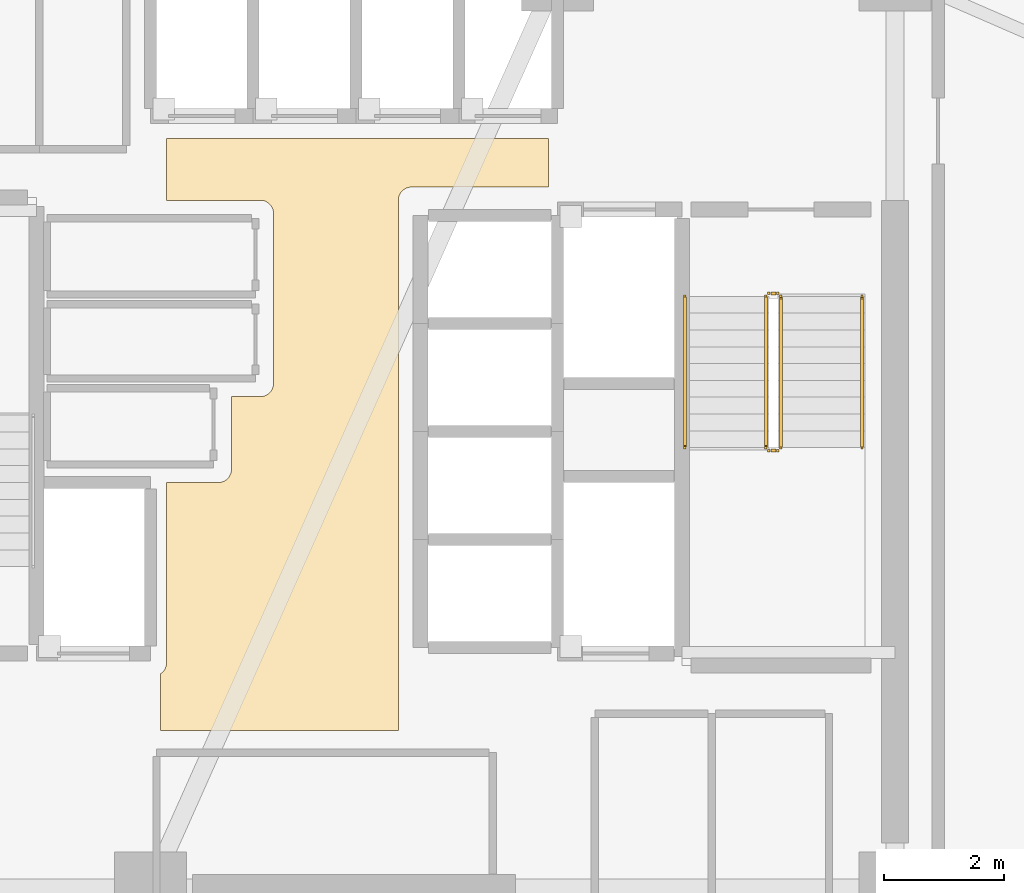
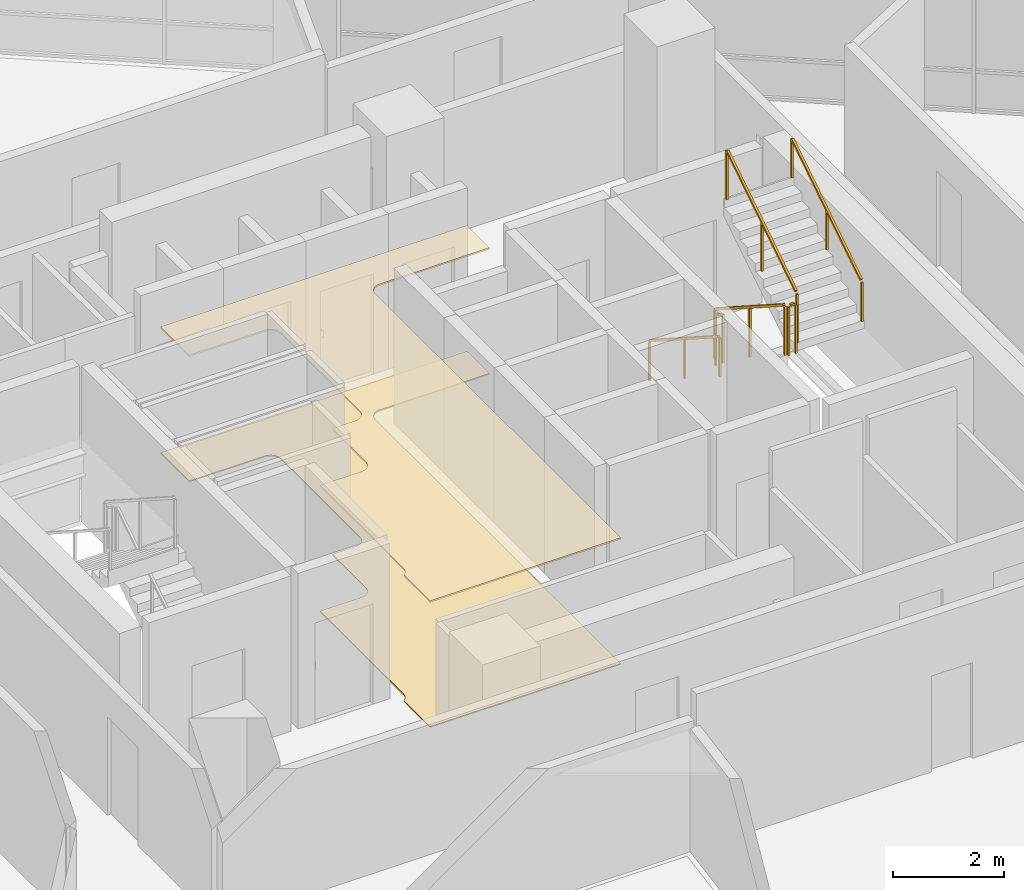
# One storey, part 18 of 19: 6 railings, 2 coverings.
"""IFC4 building model written with IfcOpenShell, lengths in metres."""

import ifcopenshell
import ifcopenshell.guid

model = None  # the IFC model being written
_history = None  # IfcOwnerHistory: only IFC2X3 demands one
_inside = {}  # id of a spatial element -> (the spatial element, [elements in it])
_under = {}  # id of a project, library or spatial element -> (it, [spatial elements below it])
_declared = {}  # id of a project -> (the project, [libraries it declares])
_typed = {}  # id of a type object -> (the type object, [elements of that type])
_made_of = {}  # id of a material, layer set ... -> (it, [elements and type objects made of it])


def new_model(schema):
    """Start an empty IFC model of exactly this schema.

    Asked for "IFC4X3", IfcOpenShell would pick the latest addendum, in which some entities
    have other attributes; the version numbers below select the first issue.
    IFC2X3 requires an IfcOwnerHistory on every rooted entity: one is made here for all.
    """
    global model, _history
    if schema == "IFC4X3":
        model = ifcopenshell.file(schema_version=(4, 3, 0, 0))
    else:
        model = ifcopenshell.file(schema=schema)
    _inside.clear()
    _under.clear()
    _declared.clear()
    _typed.clear()
    _made_of.clear()
    _history = None
    if model.schema == "IFC2X3":
        org = make("IfcOrganization", Name="unknown")
        user = make(
            "IfcPersonAndOrganization",
            ThePerson=make("IfcPerson", FamilyName="unknown"),
            TheOrganization=org,
        )
        app = make(
            "IfcApplication",
            ApplicationDeveloper=org,
            Version="unknown",
            ApplicationFullName="unknown",
            ApplicationIdentifier="unknown",
        )
        _history = make(
            "IfcOwnerHistory",
            OwningUser=user,
            OwningApplication=app,
            ChangeAction="ADDED",
            CreationDate=0,
        )
    return model


def make(cls, **values):
    """One entity of the class cls with the attributes given. An attribute that is None is left unset."""
    return model.create_entity(
        cls, **{name: value for name, value in values.items() if value is not None}
    )


def rooted(cls, **values):
    """An entity with a GlobalId (a new one), such as an element, a storey or a relation."""
    return make(cls, GlobalId=ifcopenshell.guid.new(), OwnerHistory=_history, **values)


def si_unit(unit_type, name, prefix=None):
    """IfcSIUnit, for example si_unit("LENGTHUNIT", "METRE", prefix="MILLI")."""
    return make("IfcSIUnit", UnitType=unit_type, Prefix=prefix, Name=name)


def assignment(units):
    """IfcUnitAssignment: the units of a project."""
    return None if units is None else make("IfcUnitAssignment", Units=units)


def point(xyz):
    """IfcCartesianPoint."""
    return None if xyz is None else make("IfcCartesianPoint", Coordinates=xyz)


def direction(xyz):
    """IfcDirection."""
    return None if xyz is None else make("IfcDirection", DirectionRatios=xyz)


def frame(location, z_axis=None, x_axis=None):
    """IfcAxis2Placement3D, a coordinate frame: its origin and axes. An axis left out is left unset."""
    return make(
        "IfcAxis2Placement3D",
        Location=point(location),
        Axis=direction(z_axis),
        RefDirection=direction(x_axis),
    )


def frame_2d(location, x_axis=None):
    """IfcAxis2Placement2D, a coordinate frame in the plane: its origin and x axis."""
    return make(
        "IfcAxis2Placement2D", Location=point(location), RefDirection=direction(x_axis)
    )


def origin():
    """The frame at (0, 0, 0) with its axes left unset."""
    return frame((0.0, 0.0, 0.0))


def origin_2d():
    """The frame at (0, 0) in the plane with its x axis left unset."""
    return frame_2d((0.0, 0.0))


def place(relative_to, where):
    """IfcLocalPlacement: puts the frame where relative to a parent placement (None: the world)."""
    return make(
        "IfcLocalPlacement", PlacementRelTo=relative_to, RelativePlacement=where
    )


def context(
    kind, dimensions, precision=None, world=None, true_north=None, identifier=None
):
    """IfcGeometricRepresentationContext, for example the 3D "Model" context."""
    return make(
        "IfcGeometricRepresentationContext",
        ContextIdentifier=identifier,
        ContextType=kind,
        CoordinateSpaceDimension=dimensions,
        Precision=precision,
        WorldCoordinateSystem=world,
        TrueNorth=true_north,
    )


def subcontext(parent, identifier, kind, view, scale=None):
    """IfcGeometricRepresentationSubContext, for example "Body" below "Model"."""
    return make(
        "IfcGeometricRepresentationSubContext",
        ContextIdentifier=identifier,
        ContextType=kind,
        ParentContext=parent,
        TargetScale=scale,
        TargetView=view,
    )


def project(units=None, contexts=None):
    """IfcProject with its units and contexts."""
    return rooted(
        "IfcProject",
        Name="project",
        RepresentationContexts=contexts,
        UnitsInContext=assignment(units),
    )


def spatial(cls, under=None, at=None, **own):
    """A site, building, storey or space (cls), placed at a placement, below another one or the project."""
    s = rooted(cls, ObjectPlacement=at, **own)
    if under is not None:
        _under.setdefault(under.id(), (under, []))[1].append(s)
    return s


def polyline(points):
    """IfcPolyline through the points."""
    return make("IfcPolyline", Points=[point(p) for p in points])


def profile(cls, at=None, kind="AREA", **sizes):
    """A parametric profile (cls). Its sizes go by their IFC names, for example OverallWidth=200.0."""
    return make(cls, ProfileType=kind, Position=at, **sizes)


def rectangle(**sizes):
    """IfcRectangleProfileDef."""
    return profile("IfcRectangleProfileDef", **sizes)


def outline(outer, holes=None, kind="AREA"):
    """IfcArbitraryClosedProfileDef: a profile drawn as a closed curve; with holes, ...WithVoids."""
    if holes is None:
        return make("IfcArbitraryClosedProfileDef", ProfileType=kind, OuterCurve=outer)
    return make(
        "IfcArbitraryProfileDefWithVoids",
        ProfileType=kind,
        OuterCurve=outer,
        InnerCurves=holes,
    )


def extrude(swept, where, along, depth):
    """IfcExtrudedAreaSolid: the profile swept, set in the frame where, extruded along a direction by depth."""
    return make(
        "IfcExtrudedAreaSolid",
        SweptArea=swept,
        Position=where,
        ExtrudedDirection=direction(along),
        Depth=depth,
    )


def shape(context_of_items, identifier, shape_type, items):
    """IfcShapeRepresentation: the items that make up one representation, for example the "Body"."""
    return make(
        "IfcShapeRepresentation",
        ContextOfItems=context_of_items,
        RepresentationIdentifier=identifier,
        RepresentationType=shape_type,
        Items=items,
    )


def material(Name=None, Category=None):
    """IfcMaterial."""
    return make("IfcMaterial", Name=Name, Category=Category)


def layer(
    of_material, thickness, ventilated=None, Name=None, Category=None, Priority=None
):
    """IfcMaterialLayer: one layer of a wall or slab, of a material (None: an air gap)."""
    return make(
        "IfcMaterialLayer",
        Material=of_material,
        LayerThickness=thickness,
        IsVentilated=ventilated,
        Name=Name,
        Category=Category,
        Priority=Priority,
    )


def layer_set(layers, Name=None):
    """IfcMaterialLayerSet."""
    return make("IfcMaterialLayerSet", MaterialLayers=layers, LayerSetName=Name)


def made_of(thing, what):
    """Note that an element or type object is made of a material, layer set ...; save() writes the relation."""
    if what is not None:
        _made_of.setdefault(what.id(), (what, []))[1].append(thing)
    return thing


def type_object(cls, material=None, **own):
    """A type object (cls), such as IfcWallType, which elements share."""
    return made_of(rooted(cls, **own), material)


def element(
    cls,
    number,
    at=None,
    inside=None,
    cuts=None,
    type_object=None,
    material=None,
    context=None,
    identifier="Body",
    shape_type=None,
    held_by="IfcProductDefinitionShape",
    body=None,
    shapes=None,
    **own,
):
    """One element of the class cls, such as IfcWall. Its Tag is "e" and its number.

    at: its placement. inside: the storey or other place that contains it. cuts: it is an
    opening in that element (IfcRelVoidsElement). A single representation is given by context,
    identifier, shape_type and body (its items); several are given by shapes. held_by: the class
    of the entity that holds the representations. save() writes the other relations.
    """
    e = rooted(cls, Tag="e%d" % number, ObjectPlacement=at, **own)
    if body is not None:
        shapes = [shape(context, identifier, shape_type, body)]
    if shapes is not None:
        e.Representation = make(held_by, Representations=shapes)
    if inside is not None:
        _inside.setdefault(inside.id(), (inside, []))[1].append(e)
    if cuts is not None:
        rooted(
            "IfcRelVoidsElement", RelatingBuildingElement=cuts, RelatedOpeningElement=e
        )
    if type_object is not None:
        _typed.setdefault(type_object.id(), (type_object, []))[1].append(e)
    return made_of(e, material)


def aggregate(whole, parts):
    """IfcRelAggregates: a whole, such as a stair, and the parts it consists of."""
    return rooted("IfcRelAggregates", RelatingObject=whole, RelatedObjects=parts)


def save(model, path):
    """Write the relations noted so far, then the file.

    IfcRelAggregates (storeys below a building ...), IfcRelContainedInSpatialStructure (elements
    in a storey), IfcRelDefinesByType, IfcRelAssociatesMaterial and IfcRelDeclares: one each for
    every whole, place, type object, material and project.
    """
    for whole, parts in _under.values():
        aggregate(whole, parts)
    for where, things in _inside.values():
        rooted(
            "IfcRelContainedInSpatialStructure",
            RelatedElements=things,
            RelatingStructure=where,
        )
    for kind, things in _typed.values():
        rooted("IfcRelDefinesByType", RelatedObjects=things, RelatingType=kind)
    for what, things in _made_of.values():
        rooted("IfcRelAssociatesMaterial", RelatedObjects=things, RelatingMaterial=what)
    for by, libraries in _declared.values():
        rooted("IfcRelDeclares", RelatingContext=by, RelatedDefinitions=libraries)
    model.write(path)


model = new_model("IFC4")

# Units and contexts
model_context = context("Model", 3, precision=1e-05, world=origin(), true_north=direction((0.0, 1.0)))
body_context = subcontext(model_context, "Body", "Model", "MODEL_VIEW")
ifc_project = project(units=[si_unit("LENGTHUNIT", "METRE"), si_unit("AREAUNIT", "SQUARE_METRE"), si_unit("VOLUMEUNIT", "CUBIC_METRE"), si_unit("PLANEANGLEUNIT", "RADIAN"), si_unit("MASSUNIT", "GRAM", prefix="KILO")], contexts=[model_context])

# Site, building, storey
site_placement = place(None, origin())
site = spatial("IfcSite", under=ifc_project, at=site_placement, CompositionType="ELEMENT")
building_placement = place(site_placement, origin())
building = spatial("IfcBuilding", under=site, at=building_placement, Name="Tharavind Bronze Gate", CompositionType="ELEMENT")
storey_placement = place(building_placement, frame((0.0, 0.0, 116.050048828125)))
storey = spatial("IfcBuildingStorey", under=building, at=storey_placement, Name="L29", CompositionType="ELEMENT", Elevation=116.050048828125)

# Coverings
ifc_material_1 = material(Name="Perforated Bronze Acoustic Panel", Category="bronze")
ifc_layer_1 = layer(ifc_material_1, 0.044921875)
ifc_layer_set_1 = layer_set([ifc_layer_1], Name="Perforated Bronze Acoustic Panel")
covering_type_1 = type_object("IfcCoveringType", Name="ACOUSTIC BRONZE BAFFLE CEILING", PredefinedType="CEILING", material=ifc_layer_set_1)
covering_1_placement = place(storey_placement, frame((0.0, 0.0, 2.75)))
element("IfcCovering", 1, at=covering_1_placement, inside=storey, type_object=covering_type_1, Name="L29-C-LL suspended ceiling", PredefinedType="CEILING", context=body_context, shape_type="SweptSolid", body=[
    extrude(outline(polyline([(-3.330078125, -4.97998046875), (0.6298828125, -4.97998046875), (0.6298828125, 3.85009765625), (0.631103515625, 3.87158203125), (0.63427734375, 3.892822265625), (0.639404296875, 3.913818359375), (0.646728515625, 3.93408203125), (0.656005859375, 3.95361328125), (0.6669921875, 3.97216796875), (0.679931640625, 3.989501953125), (0.6943359375, 4.005615234375), (0.71044921875, 4.02001953125), (0.727783203125, 4.032958984375), (0.746337890625, 4.0439453125), (0.765869140625, 4.05322265625), (0.7861328125, 4.060546875), (0.80712890625, 4.06591796875), (0.828369140625, 4.06884765625), (0.85009765625, 4.070068359375), (3.1298828125, 4.070068359375), (3.1298828125, 4.8798828125), (-3.22998046875, 4.8798828125), (-3.22998046875, 3.85009765625), (-1.669921875, 3.85009765625), (-1.6484375, 3.848876953125), (-1.627197265625, 3.845703125), (-1.606201171875, 3.840576171875), (-1.585693359375, 3.833251953125), (-1.56640625, 3.823974609375), (-1.5478515625, 3.81298828125), (-1.530517578125, 3.800048828125), (-1.514404296875, 3.78564453125), (-1.5, 3.76953125), (-1.487060546875, 3.752197265625), (-1.47607421875, 3.733642578125), (-1.466796875, 3.714111328125), (-1.45947265625, 3.69384765625), (-1.4541015625, 3.6728515625), (-1.451171875, 3.651611328125), (-1.449951171875, 3.6298828125), (-1.449951171875, 0.800048828125), (-1.451171875, 0.7783203125), (-1.4541015625, 0.757080078125), (-1.45947265625, 0.736083984375), (-1.466796875, 0.7158203125), (-1.47607421875, 0.6962890625), (-1.487060546875, 0.677734375), (-1.5, 0.660400390625), (-1.514404296875, 0.644287109375), (-1.530517578125, 0.6298828125), (-1.5478515625, 0.6171875), (-1.56640625, 0.60595703125), (-1.585693359375, 0.5966796875), (-1.606201171875, 0.589599609375), (-1.627197265625, 0.584228515625), (-1.6484375, 0.5810546875), (-1.669921875, 0.580078125), (-2.14990234375, 0.580078125), (-2.14990234375, -0.6298828125), (-2.151123046875, -0.651611328125), (-2.154296875, -0.6728515625), (-2.159423828125, -0.69384765625), (-2.166748046875, -0.714111328125), (-2.176025390625, -0.733642578125), (-2.18701171875, -0.752197265625), (-2.199951171875, -0.76953125), (-2.21435546875, -0.78564453125), (-2.23046875, -0.800048828125), (-2.247802734375, -0.81298828125), (-2.266357421875, -0.823974609375), (-2.285888671875, -0.833251953125), (-2.30615234375, -0.840576171875), (-2.3271484375, -0.845703125), (-2.348388671875, -0.848876953125), (-2.3701171875, -0.85009765625), (-3.22998046875, -0.85009765625), (-3.22998046875, -3.85009765625), (-3.231201171875, -3.87158203125), (-3.234130859375, -3.892822265625), (-3.239501953125, -3.913818359375), (-3.24658203125, -3.93408203125), (-3.256103515625, -3.95361328125), (-3.26708984375, -3.97216796875), (-3.27978515625, -3.989501953125), (-3.29443359375, -4.005615234375), (-3.310302734375, -4.02001953125), (-3.327880859375, -4.032958984375), (-3.330078125, -4.0341796875), (-3.330078125, -4.97998046875)])), origin(), (0.0, 0.0, 1.0), 0.034912109375),
])
ifc_material_2 = material(Name="Honed Travertine Limestone", Category="masonry")
ifc_layer_2 = layer(ifc_material_2, 0.030029296875)
ifc_layer_set_2 = layer_set([ifc_layer_2], Name="Honed Travertine Limestone")
covering_type_2 = type_object("IfcCoveringType", Name="HONED LIMESTONE FLOORING", PredefinedType="FLOORING", material=ifc_layer_set_2)
covering_2_placement = place(storey_placement, origin())
element("IfcCovering", 2, at=covering_2_placement, inside=storey, type_object=covering_type_2, Name="L29-C-LL floor finish", PredefinedType="FLOORING", context=body_context, shape_type="SweptSolid", body=[
    extrude(outline(polyline([(-3.330078125, -4.97998046875), (0.6298828125, -4.97998046875), (0.6298828125, 3.85009765625), (0.631103515625, 3.87158203125), (0.63427734375, 3.892822265625), (0.639404296875, 3.913818359375), (0.646728515625, 3.93408203125), (0.656005859375, 3.95361328125), (0.6669921875, 3.97216796875), (0.679931640625, 3.989501953125), (0.6943359375, 4.005615234375), (0.71044921875, 4.02001953125), (0.727783203125, 4.032958984375), (0.746337890625, 4.0439453125), (0.765869140625, 4.05322265625), (0.7861328125, 4.060546875), (0.80712890625, 4.06591796875), (0.828369140625, 4.06884765625), (0.85009765625, 4.070068359375), (3.1298828125, 4.070068359375), (3.1298828125, 4.8798828125), (-3.22998046875, 4.8798828125), (-3.22998046875, 3.85009765625), (-1.669921875, 3.85009765625), (-1.6484375, 3.848876953125), (-1.627197265625, 3.845703125), (-1.606201171875, 3.840576171875), (-1.585693359375, 3.833251953125), (-1.56640625, 3.823974609375), (-1.5478515625, 3.81298828125), (-1.530517578125, 3.800048828125), (-1.514404296875, 3.78564453125), (-1.5, 3.76953125), (-1.487060546875, 3.752197265625), (-1.47607421875, 3.733642578125), (-1.466796875, 3.714111328125), (-1.45947265625, 3.69384765625), (-1.4541015625, 3.6728515625), (-1.451171875, 3.651611328125), (-1.449951171875, 3.6298828125), (-1.449951171875, 0.800048828125), (-1.451171875, 0.7783203125), (-1.4541015625, 0.757080078125), (-1.45947265625, 0.736083984375), (-1.466796875, 0.7158203125), (-1.47607421875, 0.6962890625), (-1.487060546875, 0.677734375), (-1.5, 0.660400390625), (-1.514404296875, 0.644287109375), (-1.530517578125, 0.6298828125), (-1.5478515625, 0.6171875), (-1.56640625, 0.60595703125), (-1.585693359375, 0.5966796875), (-1.606201171875, 0.589599609375), (-1.627197265625, 0.584228515625), (-1.6484375, 0.5810546875), (-1.669921875, 0.580078125), (-2.14990234375, 0.580078125), (-2.14990234375, -0.6298828125), (-2.151123046875, -0.651611328125), (-2.154296875, -0.6728515625), (-2.159423828125, -0.69384765625), (-2.166748046875, -0.714111328125), (-2.176025390625, -0.733642578125), (-2.18701171875, -0.752197265625), (-2.199951171875, -0.76953125), (-2.21435546875, -0.78564453125), (-2.23046875, -0.800048828125), (-2.247802734375, -0.81298828125), (-2.266357421875, -0.823974609375), (-2.285888671875, -0.833251953125), (-2.30615234375, -0.840576171875), (-2.3271484375, -0.845703125), (-2.348388671875, -0.848876953125), (-2.3701171875, -0.85009765625), (-3.22998046875, -0.85009765625), (-3.22998046875, -3.85009765625), (-3.231201171875, -3.87158203125), (-3.234130859375, -3.892822265625), (-3.239501953125, -3.913818359375), (-3.24658203125, -3.93408203125), (-3.256103515625, -3.95361328125), (-3.26708984375, -3.97216796875), (-3.27978515625, -3.989501953125), (-3.29443359375, -4.005615234375), (-3.310302734375, -4.02001953125), (-3.327880859375, -4.032958984375), (-3.330078125, -4.0341796875), (-3.330078125, -4.97998046875)])), origin(), (0.0, 0.0, 1.0), 0.02490234375),
])

# Railings
ifc_material_3 = material(Name="Brushed Bronze Alloy", Category="metal")
railing_type_1 = type_object("IfcRailingType", Name="STAIR BRONZE HANDRAIL 900", PredefinedType="HANDRAIL", material=ifc_material_3)
railing_1_placement = place(storey_placement, frame((5.39990234375, 2.25, 0.179931640625)))
element("IfcRailing", 3, at=railing_1_placement, inside=storey, type_object=railing_type_1, Name="L29 ST2 stair handrail 1", PredefinedType="HANDRAIL", context=body_context, shape_type="SweptSolid", body=[
    extrude(rectangle(XDim=0.048095703125, YDim=0.048095703125, at=origin_2d()), frame((0.0, -0.02685546875, 0.89306640625), z_axis=(0.0, -0.841162588446, 0.540782303519), x_axis=(1.0, 0.0, 0.0)), (0.0, 0.0, 1.0), 2.931884765625),
    extrude(rectangle(XDim=0.0400390625, YDim=0.0400390625, at=origin_2d()), origin(), (0.0, 0.0, 1.0), 0.847900390625),
    extrude(rectangle(XDim=0.0400390625, YDim=0.0400390625, at=origin_2d()), frame((0.0, -1.260009765625, 0.81005859375)), (0.0, 0.0, 1.0), 0.847900390625),
    extrude(rectangle(XDim=0.0400390625, YDim=0.0400390625, at=origin_2d()), frame((0.0, -2.52001953125, 1.6201171875)), (0.0, 0.0, 1.0), 0.847900390625),
])
railing_2_placement = place(storey_placement, frame((8.35009765625, -0.27001953125, 1.97998046875)))
element("IfcRailing", 4, at=railing_2_placement, inside=storey, type_object=railing_type_1, Name="L29 ST2 stair handrail 2", PredefinedType="HANDRAIL", context=body_context, shape_type="SweptSolid", body=[
    extrude(rectangle(XDim=0.048095703125, YDim=0.048095703125, at=origin_2d()), frame((0.0, 0.02685546875, 0.89306640625), z_axis=(0.0, 0.841199657755, 0.540724639528), x_axis=(-1.0, 0.0, 0.0)), (0.0, 0.0, 1.0), 2.931640625),
    extrude(rectangle(XDim=0.0400390625, YDim=0.0400390625, at=origin_2d()), origin(), (0.0, 0.0, 1.0), 0.847900390625),
    extrude(rectangle(XDim=0.0400390625, YDim=0.0400390625, at=origin_2d()), frame((0.0, 1.260009765625, 0.81005859375)), (0.0, 0.0, 1.0), 0.847900390625),
    extrude(rectangle(XDim=0.0400390625, YDim=0.0400390625, at=origin_2d()), frame((0.0, 2.52001953125, 1.619873046875)), (0.0, 0.0, 1.0), 0.847900390625),
])
railing_type_2 = type_object("IfcRailingType", Name="STAIR WELL GUARD RAILING 1120", PredefinedType="GUARDRAIL", material=ifc_material_3)
railing_3_placement = place(storey_placement, frame((6.75, 2.25, 0.179931640625)))
element("IfcRailing", 5, at=railing_3_placement, inside=storey, type_object=railing_type_2, Name="L29 ST2 stair guard 1", PredefinedType="GUARDRAIL", context=body_context, shape_type="SweptSolid", body=[
    extrude(rectangle(XDim=0.048095703125, YDim=0.048095703125, at=origin_2d()), frame((0.0, -0.02685546875, 1.11328125), z_axis=(0.0, -0.841162588446, 0.540782303519), x_axis=(1.0, 0.0, 0.0)), (0.0, 0.0, 1.0), 2.931884765625),
    extrude(rectangle(XDim=0.0400390625, YDim=0.0400390625, at=origin_2d()), origin(), (0.0, 0.0, 1.0), 1.068115234375),
    extrude(rectangle(XDim=0.0400390625, YDim=0.0400390625, at=origin_2d()), frame((0.0, -1.260009765625, 0.81005859375)), (0.0, 0.0, 1.0), 1.068115234375),
    extrude(rectangle(XDim=0.0400390625, YDim=0.0400390625, at=origin_2d()), frame((0.0, -2.52001953125, 1.6201171875)), (0.0, 0.0, 1.0), 1.068115234375),
])
railing_4_placement = place(storey_placement, frame((6.800048828125, -0.320068359375, 1.800048828125)))
element("IfcRailing", 6, at=railing_4_placement, inside=storey, type_object=railing_type_2, Name="L29 ST2 stair guard 2", PredefinedType="GUARDRAIL", context=body_context, shape_type="SweptSolid", body=[
    extrude(rectangle(XDim=0.048095703125, YDim=0.048095703125, at=origin_2d()), frame((0.031982421875, 0.0, 1.09619140625), z_axis=(1.0, 0.0, 0.0), x_axis=(0.0, 1.0, 0.0)), (0.0, 0.0, 1.0), 0.0859375),
    extrude(rectangle(XDim=0.0400390625, YDim=0.0400390625, at=origin_2d()), origin(), (0.0, 0.0, 1.0), 1.068115234375),
    extrude(rectangle(XDim=0.0400390625, YDim=0.0400390625, at=origin_2d()), frame((0.14990234375, 0.0, 0.0)), (0.0, 0.0, 1.0), 1.068115234375),
])
railing_5_placement = place(storey_placement, frame((7.0, -0.27001953125, 1.97998046875)))
element("IfcRailing", 7, at=railing_5_placement, inside=storey, type_object=railing_type_2, Name="L29 ST2 stair guard 3", PredefinedType="GUARDRAIL", context=body_context, shape_type="SweptSolid", body=[
    extrude(rectangle(XDim=0.048095703125, YDim=0.048095703125, at=origin_2d()), frame((0.0, 0.02685546875, 1.11328125), z_axis=(0.0, 0.841199657755, 0.540724639528), x_axis=(-1.0, 0.0, 0.0)), (0.0, 0.0, 1.0), 2.931640625),
    extrude(rectangle(XDim=0.0400390625, YDim=0.0400390625, at=origin_2d()), origin(), (0.0, 0.0, 1.0), 1.068115234375),
    extrude(rectangle(XDim=0.0400390625, YDim=0.0400390625, at=origin_2d()), frame((0.0, 1.260009765625, 0.81005859375)), (0.0, 0.0, 1.0), 1.068115234375),
    extrude(rectangle(XDim=0.0400390625, YDim=0.0400390625, at=origin_2d()), frame((0.0, 2.52001953125, 1.619873046875)), (0.0, 0.0, 1.0), 1.068115234375),
])
railing_6_placement = place(storey_placement, frame((6.800048828125, 2.300048828125, 0.0)))
element("IfcRailing", 8, at=railing_6_placement, inside=storey, type_object=railing_type_2, Name="L29 ST2 stair guard 4", PredefinedType="GUARDRAIL", context=body_context, shape_type="SweptSolid", body=[
    extrude(rectangle(XDim=0.048095703125, YDim=0.048095703125, at=origin_2d()), frame((0.031982421875, 0.0, 1.09619140625), z_axis=(1.0, 0.0, 0.0), x_axis=(0.0, 1.0, 0.0)), (0.0, 0.0, 1.0), 0.0859375),
    extrude(rectangle(XDim=0.0400390625, YDim=0.0400390625, at=origin_2d()), origin(), (0.0, 0.0, 1.0), 1.068115234375),
    extrude(rectangle(XDim=0.0400390625, YDim=0.0400390625, at=origin_2d()), frame((0.14990234375, 0.0, 0.0)), (0.0, 0.0, 1.0), 1.068115234375),
])

save(model, "model.ifc")
